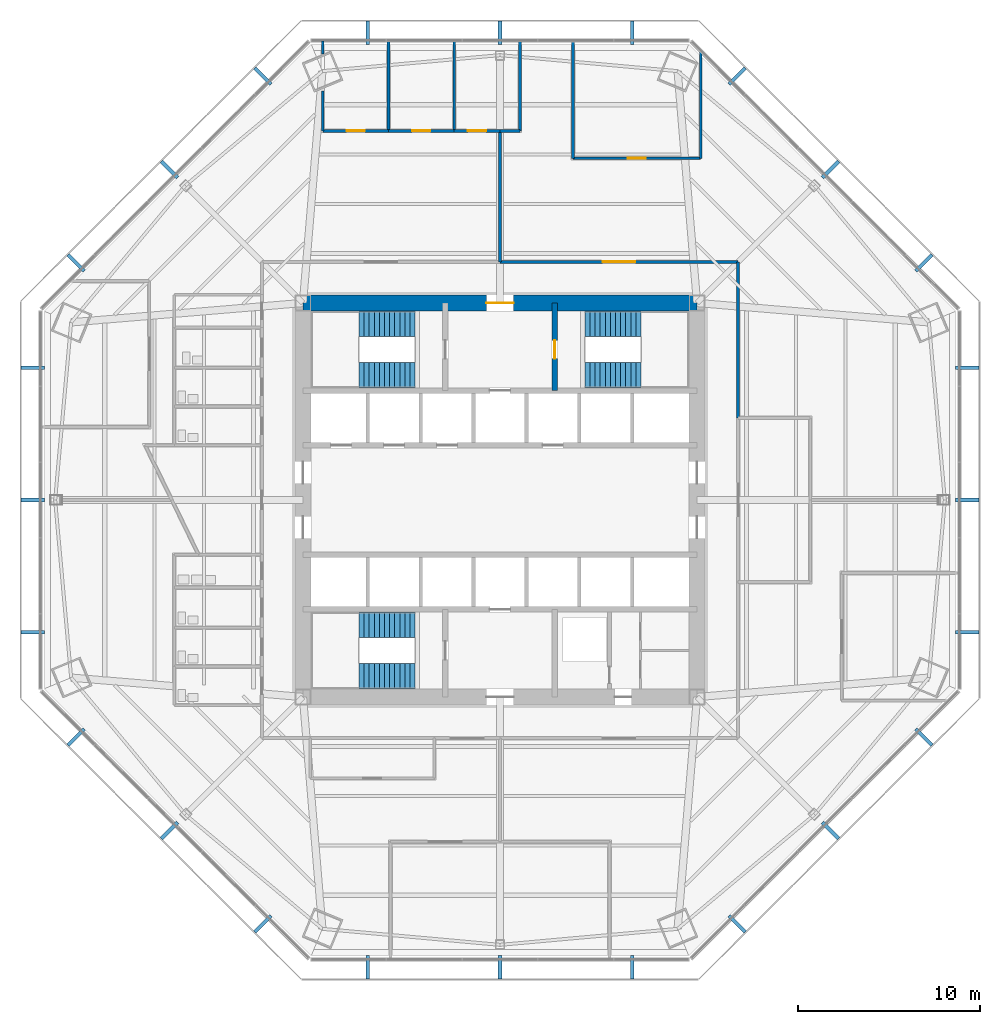
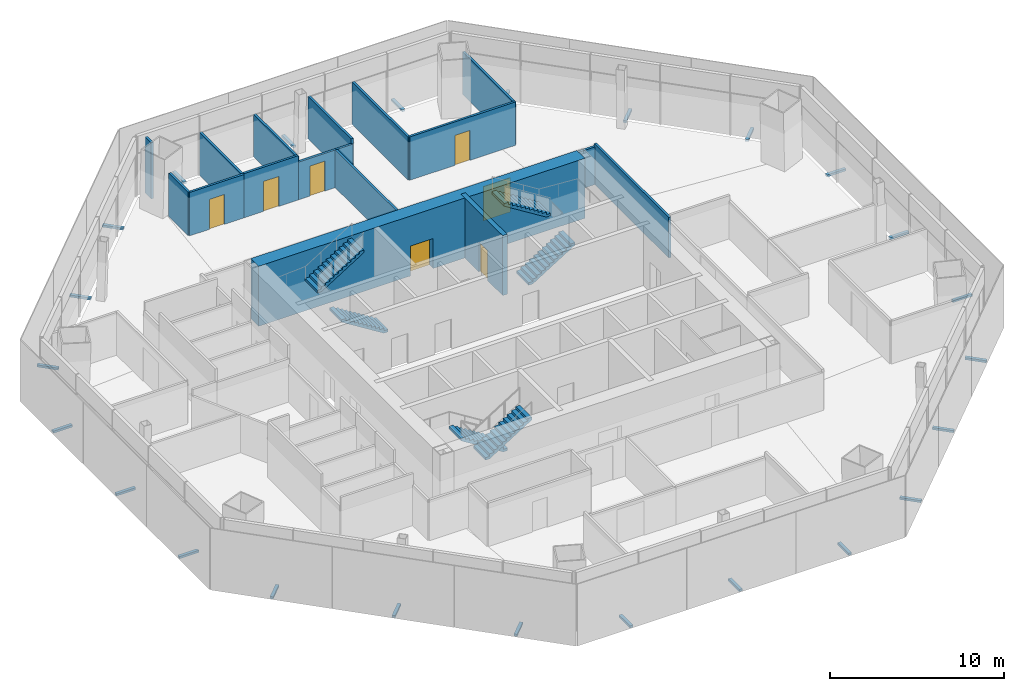
# One storey, part 12 of 16: 24 discrete accessories, 17 walls, 7 doors, 6 stair flights, 7 openings, 3 elements without a shape of their own.
"""IFC4 building model written with IfcOpenShell, lengths in metres."""

import ifcopenshell
import ifcopenshell.guid

model = None  # the IFC model being written
_history = None  # IfcOwnerHistory: only IFC2X3 demands one
_inside = {}  # id of a spatial element -> (the spatial element, [elements in it])
_under = {}  # id of a project, library or spatial element -> (it, [spatial elements below it])
_declared = {}  # id of a project -> (the project, [libraries it declares])
_typed = {}  # id of a type object -> (the type object, [elements of that type])
_made_of = {}  # id of a material, layer set ... -> (it, [elements and type objects made of it])


def new_model(schema):
    """Start an empty IFC model of exactly this schema.

    Asked for "IFC4X3", IfcOpenShell would pick the latest addendum, in which some entities
    have other attributes; the version numbers below select the first issue.
    IFC2X3 requires an IfcOwnerHistory on every rooted entity: one is made here for all.
    """
    global model, _history
    if schema == "IFC4X3":
        model = ifcopenshell.file(schema_version=(4, 3, 0, 0))
    else:
        model = ifcopenshell.file(schema=schema)
    _inside.clear()
    _under.clear()
    _declared.clear()
    _typed.clear()
    _made_of.clear()
    _history = None
    if model.schema == "IFC2X3":
        org = make("IfcOrganization", Name="unknown")
        user = make(
            "IfcPersonAndOrganization",
            ThePerson=make("IfcPerson", FamilyName="unknown"),
            TheOrganization=org,
        )
        app = make(
            "IfcApplication",
            ApplicationDeveloper=org,
            Version="unknown",
            ApplicationFullName="unknown",
            ApplicationIdentifier="unknown",
        )
        _history = make(
            "IfcOwnerHistory",
            OwningUser=user,
            OwningApplication=app,
            ChangeAction="ADDED",
            CreationDate=0,
        )
    return model


def make(cls, **values):
    """One entity of the class cls with the attributes given. An attribute that is None is left unset."""
    return model.create_entity(
        cls, **{name: value for name, value in values.items() if value is not None}
    )


def rooted(cls, **values):
    """An entity with a GlobalId (a new one), such as an element, a storey or a relation."""
    return make(cls, GlobalId=ifcopenshell.guid.new(), OwnerHistory=_history, **values)


def si_unit(unit_type, name, prefix=None):
    """IfcSIUnit, for example si_unit("LENGTHUNIT", "METRE", prefix="MILLI")."""
    return make("IfcSIUnit", UnitType=unit_type, Prefix=prefix, Name=name)


def assignment(units):
    """IfcUnitAssignment: the units of a project."""
    return None if units is None else make("IfcUnitAssignment", Units=units)


def point(xyz):
    """IfcCartesianPoint."""
    return None if xyz is None else make("IfcCartesianPoint", Coordinates=xyz)


def direction(xyz):
    """IfcDirection."""
    return None if xyz is None else make("IfcDirection", DirectionRatios=xyz)


def frame(location, z_axis=None, x_axis=None):
    """IfcAxis2Placement3D, a coordinate frame: its origin and axes. An axis left out is left unset."""
    return make(
        "IfcAxis2Placement3D",
        Location=point(location),
        Axis=direction(z_axis),
        RefDirection=direction(x_axis),
    )


def frame_2d(location, x_axis=None):
    """IfcAxis2Placement2D, a coordinate frame in the plane: its origin and x axis."""
    return make(
        "IfcAxis2Placement2D", Location=point(location), RefDirection=direction(x_axis)
    )


def origin():
    """The frame at (0, 0, 0) with its axes left unset."""
    return frame((0.0, 0.0, 0.0))


def origin_2d():
    """The frame at (0, 0) in the plane with its x axis left unset."""
    return frame_2d((0.0, 0.0))


def place(relative_to, where):
    """IfcLocalPlacement: puts the frame where relative to a parent placement (None: the world)."""
    return make(
        "IfcLocalPlacement", PlacementRelTo=relative_to, RelativePlacement=where
    )


def context(
    kind, dimensions, precision=None, world=None, true_north=None, identifier=None
):
    """IfcGeometricRepresentationContext, for example the 3D "Model" context."""
    return make(
        "IfcGeometricRepresentationContext",
        ContextIdentifier=identifier,
        ContextType=kind,
        CoordinateSpaceDimension=dimensions,
        Precision=precision,
        WorldCoordinateSystem=world,
        TrueNorth=true_north,
    )


def subcontext(parent, identifier, kind, view, scale=None):
    """IfcGeometricRepresentationSubContext, for example "Body" below "Model"."""
    return make(
        "IfcGeometricRepresentationSubContext",
        ContextIdentifier=identifier,
        ContextType=kind,
        ParentContext=parent,
        TargetScale=scale,
        TargetView=view,
    )


def project(units=None, contexts=None):
    """IfcProject with its units and contexts."""
    return rooted(
        "IfcProject",
        Name="project",
        RepresentationContexts=contexts,
        UnitsInContext=assignment(units),
    )


def spatial(cls, under=None, at=None, **own):
    """A site, building, storey or space (cls), placed at a placement, below another one or the project."""
    s = rooted(cls, ObjectPlacement=at, **own)
    if under is not None:
        _under.setdefault(under.id(), (under, []))[1].append(s)
    return s


def polyline(points):
    """IfcPolyline through the points."""
    return make("IfcPolyline", Points=[point(p) for p in points])


def profile(cls, at=None, kind="AREA", **sizes):
    """A parametric profile (cls). Its sizes go by their IFC names, for example OverallWidth=200.0."""
    return make(cls, ProfileType=kind, Position=at, **sizes)


def rectangle(**sizes):
    """IfcRectangleProfileDef."""
    return profile("IfcRectangleProfileDef", **sizes)


def outline(outer, holes=None, kind="AREA"):
    """IfcArbitraryClosedProfileDef: a profile drawn as a closed curve; with holes, ...WithVoids."""
    if holes is None:
        return make("IfcArbitraryClosedProfileDef", ProfileType=kind, OuterCurve=outer)
    return make(
        "IfcArbitraryProfileDefWithVoids",
        ProfileType=kind,
        OuterCurve=outer,
        InnerCurves=holes,
    )


def extrude(swept, where, along, depth):
    """IfcExtrudedAreaSolid: the profile swept, set in the frame where, extruded along a direction by depth."""
    return make(
        "IfcExtrudedAreaSolid",
        SweptArea=swept,
        Position=where,
        ExtrudedDirection=direction(along),
        Depth=depth,
    )


def shape(context_of_items, identifier, shape_type, items):
    """IfcShapeRepresentation: the items that make up one representation, for example the "Body"."""
    return make(
        "IfcShapeRepresentation",
        ContextOfItems=context_of_items,
        RepresentationIdentifier=identifier,
        RepresentationType=shape_type,
        Items=items,
    )


def source(mapping_origin, context_of_items, identifier, shape_type, items):
    """IfcRepresentationMap: a shape defined once, which mapped items show again and again."""
    return make(
        "IfcRepresentationMap",
        MappingOrigin=mapping_origin,
        MappedRepresentation=shape(context_of_items, identifier, shape_type, items),
    )


def transform(
    local_origin,
    x_axis=None,
    y_axis=None,
    z_axis=None,
    scale=None,
    scale2=None,
    scale3=None,
    uniform=True,
):
    """IfcCartesianTransformationOperator3D, or its non-uniform kind. x_axis, y_axis, z_axis: its Axis1, 2, 3."""
    if uniform:
        return make(
            "IfcCartesianTransformationOperator3D",
            Axis1=direction(x_axis),
            Axis2=direction(y_axis),
            LocalOrigin=point(local_origin),
            Scale=scale,
            Axis3=direction(z_axis),
        )
    return make(
        "IfcCartesianTransformationOperator3DnonUniform",
        Axis1=direction(x_axis),
        Axis2=direction(y_axis),
        LocalOrigin=point(local_origin),
        Scale=scale,
        Axis3=direction(z_axis),
        Scale2=scale2,
        Scale3=scale3,
    )


def mapped(mapping_source, mapping_target):
    """IfcMappedItem: shows the shape of a source again, moved by a transform."""
    return make(
        "IfcMappedItem", MappingSource=mapping_source, MappingTarget=mapping_target
    )


def material(Name=None, Category=None):
    """IfcMaterial."""
    return make("IfcMaterial", Name=Name, Category=Category)


def layer(
    of_material, thickness, ventilated=None, Name=None, Category=None, Priority=None
):
    """IfcMaterialLayer: one layer of a wall or slab, of a material (None: an air gap)."""
    return make(
        "IfcMaterialLayer",
        Material=of_material,
        LayerThickness=thickness,
        IsVentilated=ventilated,
        Name=Name,
        Category=Category,
        Priority=Priority,
    )


def layer_set(layers, Name=None):
    """IfcMaterialLayerSet."""
    return make("IfcMaterialLayerSet", MaterialLayers=layers, LayerSetName=Name)


def made_of(thing, what):
    """Note that an element or type object is made of a material, layer set ...; save() writes the relation."""
    if what is not None:
        _made_of.setdefault(what.id(), (what, []))[1].append(thing)
    return thing


def type_object(cls, material=None, **own):
    """A type object (cls), such as IfcWallType, which elements share."""
    return made_of(rooted(cls, **own), material)


def type_shapes(of_type, sources):
    """Give a type object the sources (RepresentationMaps) that its elements show as mapped items."""
    of_type.RepresentationMaps = sources


def element(
    cls,
    number,
    at=None,
    inside=None,
    cuts=None,
    type_object=None,
    material=None,
    context=None,
    identifier="Body",
    shape_type=None,
    held_by="IfcProductDefinitionShape",
    body=None,
    shapes=None,
    **own,
):
    """One element of the class cls, such as IfcWall. Its Tag is "e" and its number.

    at: its placement. inside: the storey or other place that contains it. cuts: it is an
    opening in that element (IfcRelVoidsElement). A single representation is given by context,
    identifier, shape_type and body (its items); several are given by shapes. held_by: the class
    of the entity that holds the representations. save() writes the other relations.
    """
    e = rooted(cls, Tag="e%d" % number, ObjectPlacement=at, **own)
    if body is not None:
        shapes = [shape(context, identifier, shape_type, body)]
    if shapes is not None:
        e.Representation = make(held_by, Representations=shapes)
    if inside is not None:
        _inside.setdefault(inside.id(), (inside, []))[1].append(e)
    if cuts is not None:
        rooted(
            "IfcRelVoidsElement", RelatingBuildingElement=cuts, RelatedOpeningElement=e
        )
    if type_object is not None:
        _typed.setdefault(type_object.id(), (type_object, []))[1].append(e)
    return made_of(e, material)


def fill(opening, filler):
    """IfcRelFillsElement: the door or window that sits in an opening."""
    return rooted(
        "IfcRelFillsElement",
        RelatingOpeningElement=opening,
        RelatedBuildingElement=filler,
    )


def aggregate(whole, parts):
    """IfcRelAggregates: a whole, such as a stair, and the parts it consists of."""
    return rooted("IfcRelAggregates", RelatingObject=whole, RelatedObjects=parts)


def save(model, path):
    """Write the relations noted so far, then the file.

    IfcRelAggregates (storeys below a building ...), IfcRelContainedInSpatialStructure (elements
    in a storey), IfcRelDefinesByType, IfcRelAssociatesMaterial and IfcRelDeclares: one each for
    every whole, place, type object, material and project.
    """
    for whole, parts in _under.values():
        aggregate(whole, parts)
    for where, things in _inside.values():
        rooted(
            "IfcRelContainedInSpatialStructure",
            RelatedElements=things,
            RelatingStructure=where,
        )
    for kind, things in _typed.values():
        rooted("IfcRelDefinesByType", RelatedObjects=things, RelatingType=kind)
    for what, things in _made_of.values():
        rooted("IfcRelAssociatesMaterial", RelatedObjects=things, RelatingMaterial=what)
    for by, libraries in _declared.values():
        rooted("IfcRelDeclares", RelatingContext=by, RelatedDefinitions=libraries)
    model.write(path)


model = new_model("IFC4")

# Units and contexts
model_context = context("Model", 3, precision=1e-05, world=origin(), true_north=direction((0.0, 1.0)))
body_context = subcontext(model_context, "Body", "Model", "MODEL_VIEW")
ifc_project = project(units=[si_unit("LENGTHUNIT", "METRE"), si_unit("AREAUNIT", "SQUARE_METRE"), si_unit("VOLUMEUNIT", "CUBIC_METRE"), si_unit("PLANEANGLEUNIT", "RADIAN"), si_unit("MASSUNIT", "GRAM", prefix="KILO")], contexts=[model_context])

# Site, building, storey
site_placement = place(None, origin())
site = spatial("IfcSite", under=ifc_project, at=site_placement, CompositionType="ELEMENT")
building_placement = place(site_placement, origin())
building = spatial("IfcBuilding", under=site, at=building_placement, Name="Mashrafa Tower", CompositionType="ELEMENT")
storey_placement = place(building_placement, frame((0.0, 0.0, 100.199951171875)))
storey = spatial("IfcBuildingStorey", under=building, at=storey_placement, Name="L22", CompositionType="ELEMENT", Elevation=100.199951171875)

# Wall, opening, door
ifc_material_1 = material(Name="Concrete C60/75", Category="concrete")
ifc_layer_1 = layer(ifc_material_1, 0.300048828125)
ifc_layer_set_1 = layer_set([ifc_layer_1], Name="Core wall 300 C60/75")
wall_type_1 = type_object("IfcWallType", Name="Core wall 300 C60/75", PredefinedType="SOLIDWALL", material=ifc_layer_set_1)
wall_1_placement = place(storey_placement, frame((3.0, 6.0, 0.0), z_axis=(0.0, 0.0, 1.0), x_axis=(0.0, 1.0, 0.0)))
wall_1 = element("IfcWall", 1, at=wall_1_placement, inside=storey, type_object=wall_type_1, Name="Core wall CX-NE L22", PredefinedType="SOLIDWALL", context=body_context, shape_type="SweptSolid", body=[
    extrude(rectangle(XDim=4.800048828125, YDim=0.300048828125, at=frame_2d((2.39990234375, 0.0))), origin(), (0.0, 0.0, 1.0), 4.199951171875),
])
opening_1_placement = place(wall_1_placement, frame((1.75, 0.0, 0.0)))
opening_1 = element("IfcOpeningElement", 2, at=opening_1_placement, cuts=wall_1, Name="Opening 22.030", PredefinedType="OPENING", context=body_context, shape_type="SweptSolid", body=[
    extrude(rectangle(XDim=1.0, YDim=2.10009765625, at=frame_2d((0.5, 1.050048828125))), frame((0.0, 0.159912109375, 0.0), z_axis=(0.0, -1.0, 0.0), x_axis=(1.0, 0.0, 0.0)), (0.0, 0.0, 1.0), 0.320068359375),
])
ifc_material_2 = material(Name="Steel door", Category="steel")
door_type_1 = type_object("IfcDoorType", Name="Stair door 1000 x 2100 90 min", OperationType="USERDEFINED", PredefinedType="DOOR", material=ifc_material_2)
door_1_placement = place(opening_1_placement, frame((1.0, 0.0, 0.0), z_axis=(0.0, 0.0, 1.0), x_axis=(-1.0, 0.0, 0.0)))
door_1 = element("IfcDoor", 3, at=door_1_placement, inside=storey, type_object=door_type_1, Name="Stair S2 door L22", OperationType="SINGLE_SWING_RIGHT", OverallHeight=2.10009765625, OverallWidth=1.0, PredefinedType="DOOR", context=body_context, shape_type="SweptSolid", body=[
    extrude(rectangle(XDim=1.0, YDim=2.10009765625, at=frame_2d((0.5, 1.050048828125))), frame((0.0, 0.02490234375, 0.0), z_axis=(0.0, -1.0, 0.0), x_axis=(1.0, 0.0, 0.0)), (0.0, 0.0, 1.0), 0.050048828125),
])
fill(opening_1, door_1)

ifc_material_3 = material(Name="Concrete C60/75", Category="concrete")
ifc_layer_2 = layer(ifc_material_3, 0.89990234375)
ifc_layer_set_2 = layer_set([ifc_layer_2], Name="Core wall 900 C60/75")
wall_type_2 = type_object("IfcWallType", Name="Core wall 900 C60/75", PredefinedType="SOLIDWALL", material=ifc_layer_set_2)
wall_2_placement = place(storey_placement, frame((10.800048828125, 10.800048828125, 0.0), z_axis=(0.0, 0.0, 1.0), x_axis=(-1.0, 0.0, 0.0)))
wall_2 = element("IfcWall", 4, at=wall_2_placement, inside=storey, type_object=wall_type_2, Name="Core wall CW-N L22", PredefinedType="SOLIDWALL", context=body_context, shape_type="SweptSolid", body=[
    extrude(rectangle(XDim=21.60009765625, YDim=0.89990234375, at=frame_2d((10.800048828125, 0.0))), origin(), (0.0, 0.0, 1.0), 4.199951171875),
])
opening_2_placement = place(wall_2_placement, frame((10.050048828125, 0.0, 0.0)))
opening_2 = element("IfcOpeningElement", 5, at=opening_2_placement, cuts=wall_2, Name="Opening 22.027", PredefinedType="OPENING", context=body_context, shape_type="SweptSolid", body=[
    extrude(rectangle(XDim=1.5, YDim=2.10009765625, at=frame_2d((0.75, 1.050048828125))), frame((0.0, 0.4599609375, 0.0), z_axis=(0.0, -1.0, 0.0), x_axis=(1.0, 0.0, 0.0)), (0.0, 0.0, 1.0), 0.919921875),
])
ifc_material_4 = material(Name="Steel door", Category="steel")
door_type_2 = type_object("IfcDoorType", Name="Lobby door pair 1500 x 2100 90 min", OperationType="DOUBLE_DOOR_SINGLE_SWING", PredefinedType="DOOR", material=ifc_material_4)
door_2_placement = place(opening_2_placement, origin())
door_2 = element("IfcDoor", 6, at=door_2_placement, inside=storey, type_object=door_type_2, Name="Fire-fighting lobby F1 door L22", OperationType="DOUBLE_DOOR_SINGLE_SWING", OverallHeight=2.10009765625, OverallWidth=1.5, PredefinedType="DOOR", context=body_context, shape_type="SweptSolid", body=[
    extrude(rectangle(XDim=1.5, YDim=2.10009765625, at=frame_2d((0.75, 1.050048828125))), frame((0.0, 0.02490234375, 0.0), z_axis=(0.0, -1.0, 0.0), x_axis=(1.0, 0.0, 0.0)), (0.0, 0.0, 1.0), 0.050048828125),
])
fill(opening_2, door_2)

# Wall
ifc_material_5 = material(Name="Gypsum board on steel studs", Category="steel")
ifc_layer_3 = layer(ifc_material_5, 0.14990234375)
ifc_layer_set_3 = layer_set([ifc_layer_3], Name="Corridor partition 150 1 hr")
wall_type_3 = type_object("IfcWallType", Name="Corridor partition 150 1 hr", PredefinedType="PARTITIONING", material=ifc_layer_set_3)
wall_3_placement = place(storey_placement, frame((13.050048828125, 4.4990234375, 0.0), z_axis=(0.0, 0.0, 1.0), x_axis=(0.0, 1.0, 0.0)))
element("IfcWall", 7, at=wall_3_placement, inside=storey, type_object=wall_type_3, Name="Corridor wall L22-012", PredefinedType="PARTITIONING", context=body_context, shape_type="SweptSolid", body=[
    extrude(rectangle(XDim=8.551025390625, YDim=0.14990234375, at=frame_2d((4.275390625, 0.0))), origin(), (0.0, 0.0, 1.0), 2.840087890625),
])

# Wall, opening, door
wall_4_placement = place(storey_placement, frame((13.050048828125, 13.050048828125, 0.0), z_axis=(0.0, 0.0, 1.0), x_axis=(-1.0, 0.0, 0.0)))
wall_4 = element("IfcWall", 8, at=wall_4_placement, inside=storey, type_object=wall_type_3, Name="Corridor wall L22-013", PredefinedType="PARTITIONING", context=body_context, shape_type="SweptSolid", body=[
    extrude(rectangle(XDim=13.051025390625, YDim=0.14990234375, at=frame_2d((6.525390625, 0.0))), origin(), (0.0, 0.0, 1.0), 2.64013671875),
])
opening_3_placement = place(wall_4_placement, frame((5.62548828125, 0.0, 0.0)))
opening_3 = element("IfcOpeningElement", 9, at=opening_3_placement, cuts=wall_4, Name="Opening 22.019", PredefinedType="OPENING", context=body_context, shape_type="SweptSolid", body=[
    extrude(rectangle(XDim=1.800048828125, YDim=2.39990234375, at=frame_2d((0.89990234375, 1.199951171875))), frame((0.0, 0.0849609375, 0.0), z_axis=(0.0, -1.0, 0.0), x_axis=(1.0, 0.0, 0.0)), (0.0, 0.0, 1.0), 0.169921875),
])
ifc_material_6 = material(Name="Timber door", Category="wood")
door_type_3 = type_object("IfcDoorType", Name="Door pair 1800 x 2400", OperationType="DOUBLE_DOOR_SINGLE_SWING", PredefinedType="DOOR", material=ifc_material_6)
door_3_placement = place(opening_3_placement, frame((1.800048828125, 0.0, 0.0), z_axis=(0.0, 0.0, 1.0), x_axis=(-1.0, 0.0, 0.0)))
door_3 = element("IfcDoor", 10, at=door_3_placement, inside=storey, type_object=door_type_3, Name="Executive Support Office 22-NE door", OperationType="DOUBLE_DOOR_SINGLE_SWING", OverallHeight=2.39990234375, OverallWidth=1.800048828125, PredefinedType="DOOR", context=body_context, shape_type="SweptSolid", body=[
    extrude(rectangle(XDim=1.800048828125, YDim=2.39990234375, at=frame_2d((0.89990234375, 1.199951171875))), frame((0.0, 0.02490234375, 0.0), z_axis=(0.0, -1.0, 0.0), x_axis=(1.0, 0.0, 0.0)), (0.0, 0.0, 1.0), 0.050048828125),
])
fill(opening_3, door_3)

# Wall
ifc_material_7 = material(Name="Gypsum board on steel studs", Category="steel")
ifc_layer_4 = layer(ifc_material_7, 0.14990234375)
ifc_layer_set_4 = layer_set([ifc_layer_4], Name="Partition 150")
wall_type_4 = type_object("IfcWallType", Name="Partition 150", PredefinedType="PARTITIONING", material=ifc_layer_set_4)
wall_5_placement = place(storey_placement, frame((4.0, 25.162109375, 0.0), z_axis=(0.0, 0.0, 1.0), x_axis=(0.0, -1.0, 0.0)))
element("IfcWall", 11, at=wall_5_placement, inside=storey, type_object=wall_type_4, Name="Partition wall L22-047", PredefinedType="PARTITIONING", context=body_context, shape_type="SweptSolid", body=[
    extrude(rectangle(XDim=6.431884765625, YDim=0.14990234375, at=frame_2d((3.2158203125, 0.0))), origin(), (0.0, 0.0, 1.0), 2.989990234375),
])

# Wall, opening, door
wall_6_placement = place(storey_placement, frame((4.0, 18.730224609375, 0.0), z_axis=(0.0, 0.0, 1.0), x_axis=(1.0, 0.0, 0.0)))
wall_6 = element("IfcWall", 12, at=wall_6_placement, inside=storey, type_object=wall_type_4, Name="Partition wall L22-048", PredefinedType="PARTITIONING", context=body_context, shape_type="SweptSolid", body=[
    extrude(rectangle(XDim=7.0, YDim=0.14990234375, at=frame_2d((3.5, 0.0))), origin(), (0.0, 0.0, 1.0), 3.0400390625),
])
opening_4_placement = place(wall_6_placement, frame((3.0, 0.0, 0.0)))
opening_4 = element("IfcOpeningElement", 13, at=opening_4_placement, cuts=wall_6, Name="Opening 22.011", PredefinedType="OPENING", context=body_context, shape_type="SweptSolid", body=[
    extrude(rectangle(XDim=1.0, YDim=2.10009765625, at=frame_2d((0.5, 1.050048828125))), frame((0.0, 0.0849609375, 0.0), z_axis=(0.0, -1.0, 0.0), x_axis=(1.0, 0.0, 0.0)), (0.0, 0.0, 1.0), 0.169921875),
])
ifc_material_8 = material(Name="Timber door", Category="wood")
door_type_4 = type_object("IfcDoorType", Name="Door 1000 x 2100", OperationType="USERDEFINED", PredefinedType="DOOR", material=ifc_material_8)
door_4_placement = place(opening_4_placement, origin())
door_4 = element("IfcDoor", 14, at=door_4_placement, inside=storey, type_object=door_type_4, Name="Chairman's Office 22 door", OperationType="SINGLE_SWING_RIGHT", OverallHeight=2.10009765625, OverallWidth=1.0, PredefinedType="DOOR", context=body_context, shape_type="SweptSolid", body=[
    extrude(rectangle(XDim=1.0, YDim=2.10009765625, at=frame_2d((0.5, 1.050048828125))), frame((0.0, 0.02490234375, 0.0), z_axis=(0.0, -1.0, 0.0), x_axis=(1.0, 0.0, 0.0)), (0.0, 0.0, 1.0), 0.050048828125),
])
fill(opening_4, door_4)

# Walls
wall_7_placement = place(storey_placement, frame((11.0, 18.730224609375, 0.0), z_axis=(0.0, 0.0, 1.0), x_axis=(0.0, 1.0, 0.0)))
element("IfcWall", 15, at=wall_7_placement, inside=storey, type_object=wall_type_4, Name="Partition wall L22-049", PredefinedType="PARTITIONING", context=body_context, shape_type="SweptSolid", body=[
    extrude(rectangle(XDim=5.856201171875, YDim=0.14990234375, at=frame_2d((2.92822265625, 0.0))), origin(), (0.0, 0.0, 1.0), 2.989990234375),
])
wall_8_placement = place(storey_placement, frame((-2.510009765625, 25.162109375, 0.0), z_axis=(0.0, 0.0, 1.0), x_axis=(0.0, -1.0, 0.0)))
element("IfcWall", 16, at=wall_8_placement, inside=storey, type_object=wall_type_4, Name="Partition wall L22-063", PredefinedType="PARTITIONING", context=body_context, shape_type="SweptSolid", body=[
    extrude(rectangle(XDim=4.931884765625, YDim=0.14990234375, at=frame_2d((2.4658203125, 0.0))), origin(), (0.0, 0.0, 1.0), 2.989990234375),
])
wall_9_placement = place(storey_placement, frame((-0.0009765625, 20.230224609375, 0.0), z_axis=(0.0, 0.0, 1.0), x_axis=(1.0, 0.0, 0.0)))
element("IfcWall", 17, at=wall_9_placement, inside=storey, type_object=wall_type_4, Name="Partition wall L22-064", PredefinedType="PARTITIONING", context=body_context, shape_type="SweptSolid", body=[
    extrude(rectangle(XDim=1.091064453125, YDim=0.14990234375, at=frame_2d((0.54541015625, 0.0))), origin(), (0.0, 0.0, 1.0), 2.64013671875),
])
wall_10_placement = place(storey_placement, frame((1.090087890625, 20.230224609375, 0.0), z_axis=(0.0, 0.0, 1.0), x_axis=(0.0, 1.0, 0.0)))
element("IfcWall", 18, at=wall_10_placement, inside=storey, type_object=wall_type_4, Name="Partition wall L22-065", PredefinedType="PARTITIONING", context=body_context, shape_type="SweptSolid", body=[
    extrude(rectangle(XDim=4.931884765625, YDim=0.14990234375, at=frame_2d((2.4658203125, 0.0))), origin(), (0.0, 0.0, 1.0), 2.989990234375),
])

# Wall, opening, door
wall_11_placement = place(storey_placement, frame((-2.510009765625, 20.230224609375, 0.0), z_axis=(0.0, 0.0, 1.0), x_axis=(1.0, 0.0, 0.0)))
wall_11 = element("IfcWall", 19, at=wall_11_placement, inside=storey, type_object=wall_type_4, Name="Partition wall L22-066", PredefinedType="PARTITIONING", context=body_context, shape_type="SweptSolid", body=[
    extrude(rectangle(XDim=2.510986328125, YDim=0.14990234375, at=frame_2d((1.25537109375, 0.0))), origin(), (0.0, 0.0, 1.0), 2.64013671875),
])
opening_5_placement = place(wall_11_placement, frame((0.755615234375, 0.0, 0.0)))
opening_5 = element("IfcOpeningElement", 20, at=opening_5_placement, cuts=wall_11, Name="Opening 22.016", PredefinedType="OPENING", context=body_context, shape_type="SweptSolid", body=[
    extrude(rectangle(XDim=1.0, YDim=2.10009765625, at=frame_2d((0.5, 1.050048828125))), frame((0.0, 0.0849609375, 0.0), z_axis=(0.0, -1.0, 0.0), x_axis=(1.0, 0.0, 0.0)), (0.0, 0.0, 1.0), 0.169921875),
])
door_5_placement = place(opening_5_placement, origin())
door_5 = element("IfcDoor", 21, at=door_5_placement, inside=storey, type_object=door_type_4, Name="Executive Office 22-1 door", OperationType="SINGLE_SWING_LEFT", OverallHeight=2.10009765625, OverallWidth=1.0, PredefinedType="DOOR", context=body_context, shape_type="SweptSolid", body=[
    extrude(rectangle(XDim=1.0, YDim=2.10009765625, at=frame_2d((0.5, 1.050048828125))), frame((0.0, 0.02490234375, 0.0), z_axis=(0.0, -1.0, 0.0), x_axis=(1.0, 0.0, 0.0)), (0.0, 0.0, 1.0), 0.050048828125),
])
fill(opening_5, door_5)

# Wall
wall_12_placement = place(storey_placement, frame((-6.110107421875, 25.162109375, 0.0), z_axis=(0.0, 0.0, 1.0), x_axis=(0.0, -1.0, 0.0)))
element("IfcWall", 22, at=wall_12_placement, inside=storey, type_object=wall_type_4, Name="Partition wall L22-067", PredefinedType="PARTITIONING", context=body_context, shape_type="SweptSolid", body=[
    extrude(rectangle(XDim=4.931884765625, YDim=0.14990234375, at=frame_2d((2.4658203125, 0.0))), origin(), (0.0, 0.0, 1.0), 2.989990234375),
])

# Wall, opening, door
wall_13_placement = place(storey_placement, frame((-6.110107421875, 20.230224609375, 0.0), z_axis=(0.0, 0.0, 1.0), x_axis=(1.0, 0.0, 0.0)))
wall_13 = element("IfcWall", 23, at=wall_13_placement, inside=storey, type_object=wall_type_4, Name="Partition wall L22-068", PredefinedType="PARTITIONING", context=body_context, shape_type="SweptSolid", body=[
    extrude(rectangle(XDim=3.60009765625, YDim=0.14990234375, at=frame_2d((1.800048828125, 0.0))), origin(), (0.0, 0.0, 1.0), 3.099365234375),
])
opening_6_placement = place(wall_13_placement, frame((1.300048828125, 0.0, 0.0)))
opening_6 = element("IfcOpeningElement", 24, at=opening_6_placement, cuts=wall_13, Name="Opening 22.017", PredefinedType="OPENING", context=body_context, shape_type="SweptSolid", body=[
    extrude(rectangle(XDim=1.0, YDim=2.10009765625, at=frame_2d((0.5, 1.050048828125))), frame((0.0, 0.0849609375, 0.0), z_axis=(0.0, -1.0, 0.0), x_axis=(1.0, 0.0, 0.0)), (0.0, 0.0, 1.0), 0.169921875),
])
door_6_placement = place(opening_6_placement, origin())
door_6 = element("IfcDoor", 25, at=door_6_placement, inside=storey, type_object=door_type_4, Name="Executive Office 22-2 door", OperationType="SINGLE_SWING_LEFT", OverallHeight=2.10009765625, OverallWidth=1.0, PredefinedType="DOOR", context=body_context, shape_type="SweptSolid", body=[
    extrude(rectangle(XDim=1.0, YDim=2.10009765625, at=frame_2d((0.5, 1.050048828125))), frame((0.0, 0.02490234375, 0.0), z_axis=(0.0, -1.0, 0.0), x_axis=(1.0, 0.0, 0.0)), (0.0, 0.0, 1.0), 0.050048828125),
])
fill(opening_6, door_6)

# Walls
wall_14_placement = place(storey_placement, frame((-9.7099609375, 25.162109375, 0.0), z_axis=(0.0, 0.0, 1.0), x_axis=(0.0, -1.0, 0.0)))
element("IfcWall", 26, at=wall_14_placement, inside=storey, type_object=wall_type_4, Name="Partition wall L22-069", PredefinedType="PARTITIONING", context=body_context, shape_type="SweptSolid", body=[
    extrude(rectangle(XDim=0.708740234375, YDim=0.14990234375, at=frame_2d((0.3544921875, 0.0))), origin(), (0.0, 0.0, 1.0), 3.949951171875),
])
wall_15_placement = place(storey_placement, frame((-9.7099609375, 22.43212890625, 0.0), z_axis=(0.0, 0.0, 1.0), x_axis=(0.0, -1.0, 0.0)))
element("IfcWall", 27, at=wall_15_placement, inside=storey, type_object=wall_type_4, Name="Partition wall L22-070", PredefinedType="PARTITIONING", context=body_context, shape_type="SweptSolid", body=[
    extrude(rectangle(XDim=2.201904296875, YDim=0.14990234375, at=frame_2d((1.10107421875, 0.0))), origin(), (0.0, 0.0, 1.0), 3.0400390625),
])

# Wall, opening, door
wall_16_placement = place(storey_placement, frame((-9.7099609375, 20.230224609375, 0.0), z_axis=(0.0, 0.0, 1.0), x_axis=(1.0, 0.0, 0.0)))
wall_16 = element("IfcWall", 28, at=wall_16_placement, inside=storey, type_object=wall_type_4, Name="Partition wall L22-071", PredefinedType="PARTITIONING", context=body_context, shape_type="SweptSolid", body=[
    extrude(rectangle(XDim=3.599853515625, YDim=0.14990234375, at=frame_2d((1.7998046875, 0.0))), origin(), (0.0, 0.0, 1.0), 3.0400390625),
])
opening_7_placement = place(wall_16_placement, frame((1.300048828125, 0.0, 0.0)))
opening_7 = element("IfcOpeningElement", 29, at=opening_7_placement, cuts=wall_16, Name="Opening 22.018", PredefinedType="OPENING", context=body_context, shape_type="SweptSolid", body=[
    extrude(rectangle(XDim=1.0, YDim=2.10009765625, at=frame_2d((0.5, 1.050048828125))), frame((0.0, 0.0849609375, 0.0), z_axis=(0.0, -1.0, 0.0), x_axis=(1.0, 0.0, 0.0)), (0.0, 0.0, 1.0), 0.169921875),
])
door_7_placement = place(opening_7_placement, origin())
door_7 = element("IfcDoor", 30, at=door_7_placement, inside=storey, type_object=door_type_4, Name="Executive Office 22-3 door", OperationType="SINGLE_SWING_LEFT", OverallHeight=2.10009765625, OverallWidth=1.0, PredefinedType="DOOR", context=body_context, shape_type="SweptSolid", body=[
    extrude(rectangle(XDim=1.0, YDim=2.10009765625, at=frame_2d((0.5, 1.050048828125))), frame((0.0, 0.02490234375, 0.0), z_axis=(0.0, -1.0, 0.0), x_axis=(1.0, 0.0, 0.0)), (0.0, 0.0, 1.0), 0.050048828125),
])
fill(opening_7, door_7)

# Wall
wall_17_placement = place(storey_placement, frame((0.0, 20.230224609375, 0.0), z_axis=(0.0, 0.0, 1.0), x_axis=(0.0, -1.0, 0.0)))
element("IfcWall", 31, at=wall_17_placement, inside=storey, type_object=wall_type_4, Name="Partition wall L22-072", PredefinedType="PARTITIONING", context=body_context, shape_type="SweptSolid", body=[
    extrude(rectangle(XDim=7.18017578125, YDim=0.14990234375, at=frame_2d((3.590087890625, 0.0))), origin(), (0.0, 0.0, 1.0), 2.64013671875),
])

# Stair, stair flights
ifc_material_9 = material(Name="Exit stair 1400")
stair_type = type_object("IfcStairType", Name="Exit stair 1400", PredefinedType="HALF_TURN_STAIR", material=ifc_material_9)
stair_1_placement = place(storey_placement, origin())
stair_1 = element("IfcStair", 32, at=stair_1_placement, inside=storey, type_object=stair_type, Name="Stair S1 L22", PredefinedType="HALF_TURN_STAIR")
ifc_material_10 = material(Name="Concrete C32/40", Category="concrete")
stair_flight_type = type_object("IfcStairFlightType", Name="Stair flight 1400", PredefinedType="STRAIGHT", material=ifc_material_10)
stair_flight_1_placement = place(storey_placement, frame((-4.64990234375, 6.85009765625, 0.0), z_axis=(0.0, 0.0, 1.0), x_axis=(-1.0, 0.0, 0.0)))
stair_flight_1 = element("IfcStairFlight", 33, at=stair_flight_1_placement, type_object=stair_flight_type, Name="S1 flight 1", NumberOfRisers=12, NumberOfTreads=11, PredefinedType="STRAIGHT", RiserHeight=0.175, TreadLength=0.28, context=body_context, shape_type="SweptSolid", body=[
    extrude(outline(polyline([(0.0, 0.0), (0.0, 0.175048828125), (0.280029296875, 0.175048828125), (0.280029296875, 0.35009765625), (0.56005859375, 0.35009765625), (0.56005859375, 0.52490234375), (0.840087890625, 0.52490234375), (0.840087890625, 0.699951171875), (1.1201171875, 0.699951171875), (1.1201171875, 0.875), (1.39990234375, 0.875), (1.39990234375, 1.050048828125), (1.679931640625, 1.050048828125), (1.679931640625, 1.22509765625), (1.9599609375, 1.22509765625), (1.9599609375, 1.39990234375), (2.239990234375, 1.39990234375), (2.239990234375, 1.574951171875), (2.52001953125, 1.574951171875), (2.52001953125, 1.75), (2.800048828125, 1.75), (2.800048828125, 1.925048828125), (3.080078125, 1.925048828125), (3.080078125, 2.10009765625), (3.080078125, 1.748291015625), (0.28271484375, 0.0), (0.0, 0.0)])), frame((0.0, 0.699951171875, 0.0), z_axis=(0.0, -1.0, 0.0), x_axis=(1.0, 0.0, 0.0)), (0.0, 0.0, 1.0), 1.39990234375),
])
stair_flight_2_placement = place(storey_placement, frame((-7.72998046875, 9.64990234375, 2.10009765625), z_axis=(0.0, 0.0, 1.0), x_axis=(1.0, 0.0, 0.0)))
stair_flight_2 = element("IfcStairFlight", 34, at=stair_flight_2_placement, type_object=stair_flight_type, Name="S1 flight 2", NumberOfRisers=12, NumberOfTreads=11, PredefinedType="STRAIGHT", RiserHeight=0.175, TreadLength=0.28, context=body_context, shape_type="SweptSolid", body=[
    extrude(outline(polyline([(0.0, 0.0), (0.0, 0.175048828125), (0.280029296875, 0.175048828125), (0.280029296875, 0.35009765625), (0.56005859375, 0.35009765625), (0.56005859375, 0.52490234375), (0.840087890625, 0.52490234375), (0.840087890625, 0.699951171875), (1.1201171875, 0.699951171875), (1.1201171875, 0.875), (1.39990234375, 0.875), (1.39990234375, 1.050048828125), (1.679931640625, 1.050048828125), (1.679931640625, 1.22509765625), (1.9599609375, 1.22509765625), (1.9599609375, 1.39990234375), (2.239990234375, 1.39990234375), (2.239990234375, 1.574951171875), (2.52001953125, 1.574951171875), (2.52001953125, 1.75), (2.800048828125, 1.75), (2.800048828125, 1.925048828125), (3.080078125, 1.925048828125), (3.080078125, 2.10009765625), (3.080078125, 1.748291015625), (0.28271484375, 0.0), (0.0, 0.0)])), frame((0.0, 0.699951171875, 0.0), z_axis=(0.0, -1.0, 0.0), x_axis=(1.0, 0.0, 0.0)), (0.0, 0.0, 1.0), 1.39990234375),
])
aggregate(stair_1, [stair_flight_1, stair_flight_2])

stair_2_placement = place(storey_placement, origin())
stair_2 = element("IfcStair", 35, at=stair_2_placement, inside=storey, type_object=stair_type, Name="Stair S2 L22", PredefinedType="HALF_TURN_STAIR")
stair_flight_3_placement = place(storey_placement, frame((4.64990234375, 6.85009765625, 0.0), z_axis=(0.0, 0.0, 1.0), x_axis=(1.0, 0.0, 0.0)))
stair_flight_3 = element("IfcStairFlight", 36, at=stair_flight_3_placement, type_object=stair_flight_type, Name="S2 flight 1", NumberOfRisers=12, NumberOfTreads=11, PredefinedType="STRAIGHT", RiserHeight=0.175, TreadLength=0.28, context=body_context, shape_type="SweptSolid", body=[
    extrude(outline(polyline([(0.0, 0.0), (0.0, 0.175048828125), (0.280029296875, 0.175048828125), (0.280029296875, 0.35009765625), (0.56005859375, 0.35009765625), (0.56005859375, 0.52490234375), (0.840087890625, 0.52490234375), (0.840087890625, 0.699951171875), (1.1201171875, 0.699951171875), (1.1201171875, 0.875), (1.39990234375, 0.875), (1.39990234375, 1.050048828125), (1.679931640625, 1.050048828125), (1.679931640625, 1.22509765625), (1.9599609375, 1.22509765625), (1.9599609375, 1.39990234375), (2.239990234375, 1.39990234375), (2.239990234375, 1.574951171875), (2.52001953125, 1.574951171875), (2.52001953125, 1.75), (2.800048828125, 1.75), (2.800048828125, 1.925048828125), (3.080078125, 1.925048828125), (3.080078125, 2.10009765625), (3.080078125, 1.748291015625), (0.28271484375, 0.0), (0.0, 0.0)])), frame((0.0, 0.699951171875, 0.0), z_axis=(0.0, -1.0, 0.0), x_axis=(1.0, 0.0, 0.0)), (0.0, 0.0, 1.0), 1.39990234375),
])
stair_flight_4_placement = place(storey_placement, frame((7.72998046875, 9.64990234375, 2.10009765625), z_axis=(0.0, 0.0, 1.0), x_axis=(-1.0, 0.0, 0.0)))
stair_flight_4 = element("IfcStairFlight", 37, at=stair_flight_4_placement, type_object=stair_flight_type, Name="S2 flight 2", NumberOfRisers=12, NumberOfTreads=11, PredefinedType="STRAIGHT", RiserHeight=0.175, TreadLength=0.28, context=body_context, shape_type="SweptSolid", body=[
    extrude(outline(polyline([(0.0, 0.0), (0.0, 0.175048828125), (0.280029296875, 0.175048828125), (0.280029296875, 0.35009765625), (0.56005859375, 0.35009765625), (0.56005859375, 0.52490234375), (0.840087890625, 0.52490234375), (0.840087890625, 0.699951171875), (1.1201171875, 0.699951171875), (1.1201171875, 0.875), (1.39990234375, 0.875), (1.39990234375, 1.050048828125), (1.679931640625, 1.050048828125), (1.679931640625, 1.22509765625), (1.9599609375, 1.22509765625), (1.9599609375, 1.39990234375), (2.239990234375, 1.39990234375), (2.239990234375, 1.574951171875), (2.52001953125, 1.574951171875), (2.52001953125, 1.75), (2.800048828125, 1.75), (2.800048828125, 1.925048828125), (3.080078125, 1.925048828125), (3.080078125, 2.10009765625), (3.080078125, 1.748291015625), (0.28271484375, 0.0), (0.0, 0.0)])), frame((0.0, 0.699951171875, 0.0), z_axis=(0.0, -1.0, 0.0), x_axis=(1.0, 0.0, 0.0)), (0.0, 0.0, 1.0), 1.39990234375),
])
aggregate(stair_2, [stair_flight_3, stair_flight_4])

stair_3_placement = place(storey_placement, origin())
stair_3 = element("IfcStair", 38, at=stair_3_placement, inside=storey, type_object=stair_type, Name="Stair S3 L22", PredefinedType="HALF_TURN_STAIR")
stair_flight_5_placement = place(storey_placement, frame((-4.64990234375, -6.85009765625, 0.0), z_axis=(0.0, 0.0, 1.0), x_axis=(-1.0, 0.0, 0.0)))
stair_flight_5 = element("IfcStairFlight", 39, at=stair_flight_5_placement, type_object=stair_flight_type, Name="S3 flight 1", NumberOfRisers=12, NumberOfTreads=11, PredefinedType="STRAIGHT", RiserHeight=0.175, TreadLength=0.28, context=body_context, shape_type="SweptSolid", body=[
    extrude(outline(polyline([(0.0, 0.0), (0.0, 0.175048828125), (0.280029296875, 0.175048828125), (0.280029296875, 0.35009765625), (0.56005859375, 0.35009765625), (0.56005859375, 0.52490234375), (0.840087890625, 0.52490234375), (0.840087890625, 0.699951171875), (1.1201171875, 0.699951171875), (1.1201171875, 0.875), (1.39990234375, 0.875), (1.39990234375, 1.050048828125), (1.679931640625, 1.050048828125), (1.679931640625, 1.22509765625), (1.9599609375, 1.22509765625), (1.9599609375, 1.39990234375), (2.239990234375, 1.39990234375), (2.239990234375, 1.574951171875), (2.52001953125, 1.574951171875), (2.52001953125, 1.75), (2.800048828125, 1.75), (2.800048828125, 1.925048828125), (3.080078125, 1.925048828125), (3.080078125, 2.10009765625), (3.080078125, 1.748291015625), (0.28271484375, 0.0), (0.0, 0.0)])), frame((0.0, 0.699951171875, 0.0), z_axis=(0.0, -1.0, 0.0), x_axis=(1.0, 0.0, 0.0)), (0.0, 0.0, 1.0), 1.39990234375),
])
stair_flight_6_placement = place(storey_placement, frame((-7.72998046875, -9.64990234375, 2.10009765625), z_axis=(0.0, 0.0, 1.0), x_axis=(1.0, 0.0, 0.0)))
stair_flight_6 = element("IfcStairFlight", 40, at=stair_flight_6_placement, type_object=stair_flight_type, Name="S3 flight 2", NumberOfRisers=12, NumberOfTreads=11, PredefinedType="STRAIGHT", RiserHeight=0.175, TreadLength=0.28, context=body_context, shape_type="SweptSolid", body=[
    extrude(outline(polyline([(0.0, 0.0), (0.0, 0.175048828125), (0.280029296875, 0.175048828125), (0.280029296875, 0.35009765625), (0.56005859375, 0.35009765625), (0.56005859375, 0.52490234375), (0.840087890625, 0.52490234375), (0.840087890625, 0.699951171875), (1.1201171875, 0.699951171875), (1.1201171875, 0.875), (1.39990234375, 0.875), (1.39990234375, 1.050048828125), (1.679931640625, 1.050048828125), (1.679931640625, 1.22509765625), (1.9599609375, 1.22509765625), (1.9599609375, 1.39990234375), (2.239990234375, 1.39990234375), (2.239990234375, 1.574951171875), (2.52001953125, 1.574951171875), (2.52001953125, 1.75), (2.800048828125, 1.75), (2.800048828125, 1.925048828125), (3.080078125, 1.925048828125), (3.080078125, 2.10009765625), (3.080078125, 1.748291015625), (0.28271484375, 0.0), (0.0, 0.0)])), frame((0.0, 0.699951171875, 0.0), z_axis=(0.0, -1.0, 0.0), x_axis=(1.0, 0.0, 0.0)), (0.0, 0.0, 1.0), 1.39990234375),
])
aggregate(stair_3, [stair_flight_5, stair_flight_6])

# Discrete accessories
ifc_material_11 = material(Name="Stainless steel screen bracket", Category="steel")
discrete_accessory_type = type_object("IfcDiscreteAccessoryType", Name="Screen support bracket 200 x 150", PredefinedType="BRACKET", material=ifc_material_11)
shared_shape = source(origin(), body_context, "Body", "SweptSolid", [
    extrude(rectangle(XDim=0.199951171875, YDim=1.27001953125, at=origin_2d()), origin(), (0.0, 0.0, 1.0), 0.14990234375),
])
type_shapes(discrete_accessory_type, [shared_shape])
for number, where, z_axis, x_axis, name in (
    (41, (25.615234375, -7.2421875, -0.14990234375), (0.0, 0.0, 1.0), (0.0, 1.0, 0.0), "Screen support bracket L22 east 1"),
    (42, (25.615234375, 0.0, -0.14990234375), (0.0, 0.0, 1.0), (0.0, 1.0, 0.0), "Screen support bracket L22 east 2"),
    (43, (25.615234375, 7.2421875, -0.14990234375), (0.0, 0.0, 1.0), (0.0, 1.0, 0.0), "Screen support bracket L22 east 3"),
    (44, (23.233642578125, 12.99169921875, -0.14990234375), (0.0, 0.0, 1.0), (-0.707106781187, 0.707106781187, 0.0), "Screen support bracket L22 north-east 1"),
    (45, (18.11279296875, 18.11279296875, -0.14990234375), (0.0, 0.0, 1.0), (-0.707106781187, 0.707106781187, 0.0), "Screen support bracket L22 north-east 2"),
    (46, (12.99169921875, 23.233642578125, -0.14990234375), (0.0, 0.0, 1.0), (-0.707106781187, 0.707106781187, 0.0), "Screen support bracket L22 north-east 3"),
    (47, (7.2421875, 25.615234375, -0.14990234375), (0.0, 0.0, 1.0), (-1.0, 0.0, 0.0), "Screen support bracket L22 north 1"),
    (48, (0.0, 25.615234375, -0.14990234375), (0.0, 0.0, 1.0), (-1.0, 0.0, 0.0), "Screen support bracket L22 north 2"),
    (49, (-7.2421875, 25.615234375, -0.14990234375), (0.0, 0.0, 1.0), (-1.0, 0.0, 0.0), "Screen support bracket L22 north 3"),
    (50, (-12.99169921875, 23.233642578125, -0.14990234375), (0.0, 0.0, 1.0), (-0.707106781187, -0.707106781187, 0.0), "Screen support bracket L22 north-west 1"),
    (51, (-18.11279296875, 18.11279296875, -0.14990234375), (0.0, 0.0, 1.0), (-0.707106781187, -0.707106781187, 0.0), "Screen support bracket L22 north-west 2"),
    (52, (-23.233642578125, 12.99169921875, -0.14990234375), (0.0, 0.0, 1.0), (-0.707106781187, -0.707106781187, 0.0), "Screen support bracket L22 north-west 3"),
    (53, (-25.615234375, 7.2421875, -0.14990234375), (0.0, 0.0, 1.0), (0.0, -1.0, 0.0), "Screen support bracket L22 west 1"),
    (54, (-25.615234375, 0.0, -0.14990234375), (0.0, 0.0, 1.0), (0.0, -1.0, 0.0), "Screen support bracket L22 west 2"),
    (55, (-25.615234375, -7.2421875, -0.14990234375), (0.0, 0.0, 1.0), (0.0, -1.0, 0.0), "Screen support bracket L22 west 3"),
    (56, (-23.233642578125, -12.99169921875, -0.14990234375), (0.0, 0.0, 1.0), (0.707106781187, -0.707106781187, 0.0), "Screen support bracket L22 south-west 1"),
    (57, (-18.11279296875, -18.11279296875, -0.14990234375), (0.0, 0.0, 1.0), (0.707106781187, -0.707106781187, 0.0), "Screen support bracket L22 south-west 2"),
    (58, (-12.99169921875, -23.233642578125, -0.14990234375), (0.0, 0.0, 1.0), (0.707106781187, -0.707106781187, 0.0), "Screen support bracket L22 south-west 3"),
    (59, (-7.2421875, -25.615234375, -0.14990234375), (0.0, 0.0, 1.0), (1.0, 0.0, 0.0), "Screen support bracket L22 south 1"),
    (60, (0.0, -25.615234375, -0.14990234375), (0.0, 0.0, 1.0), (1.0, 0.0, 0.0), "Screen support bracket L22 south 2"),
    (61, (7.2421875, -25.615234375, -0.14990234375), (0.0, 0.0, 1.0), (1.0, 0.0, 0.0), "Screen support bracket L22 south 3"),
    (62, (12.99169921875, -23.233642578125, -0.14990234375), (0.0, 0.0, 1.0), (0.707106781187, 0.707106781187, 0.0), "Screen support bracket L22 south-east 1"),
    (63, (18.11279296875, -18.11279296875, -0.14990234375), (0.0, 0.0, 1.0), (0.707106781187, 0.707106781187, 0.0), "Screen support bracket L22 south-east 2"),
    (64, (23.233642578125, -12.99169921875, -0.14990234375), (0.0, 0.0, 1.0), (0.707106781187, 0.707106781187, 0.0), "Screen support bracket L22 south-east 3"),
):
    element("IfcDiscreteAccessory", number, at=place(storey_placement, frame(where, z_axis=z_axis, x_axis=x_axis)), inside=storey, type_object=discrete_accessory_type, Name=name, PredefinedType="BRACKET", context=body_context, shape_type="MappedRepresentation", body=[
        mapped(shared_shape, transform((0.0, 0.0, 0.0))),
    ])

save(model, "model.ifc")
